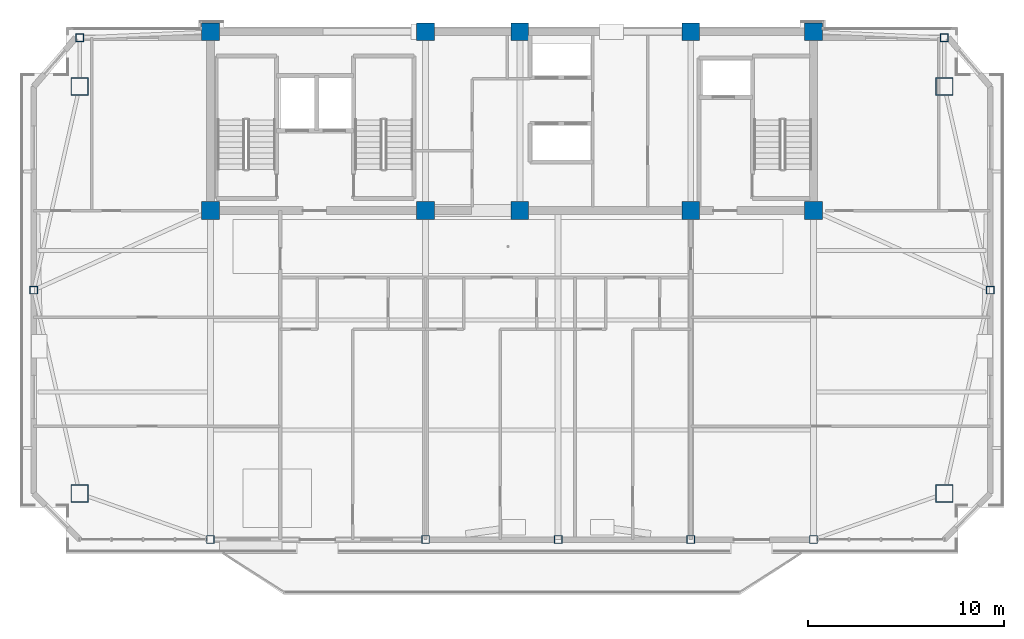
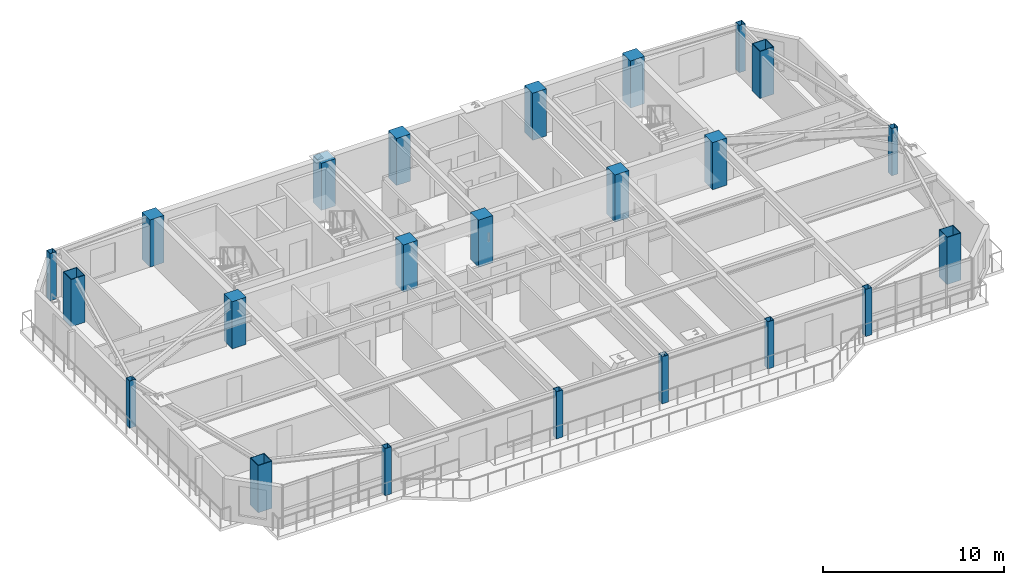
# One storey, part 1 of 14: 23 columns.
"""IFC4 building model written with IfcOpenShell, lengths in metres."""

from ifc_helpers import new_model, si_unit, direction, frame, origin, origin_2d, place, context, subcontext, project, spatial, rectangle, hollow_rectangle, extrude, source, transform, mapped, material, material_profile, profile_set, type_object, element, save


model = new_model("IFC4")

# Units and contexts
model_context = context("Model", 3, precision=1e-05, world=origin(), true_north=direction((0.0, 1.0)))
body_context = subcontext(model_context, "Body", "Model", "MODEL_VIEW")
ifc_project = project(units=[si_unit("LENGTHUNIT", "METRE"), si_unit("AREAUNIT", "SQUARE_METRE"), si_unit("VOLUMEUNIT", "CUBIC_METRE"), si_unit("PLANEANGLEUNIT", "RADIAN"), si_unit("MASSUNIT", "GRAM", prefix="KILO")], contexts=[model_context])

# Site, building, storey
site_placement = place(None, origin())
site = spatial("IfcSite", under=ifc_project, at=site_placement, CompositionType="ELEMENT")
building_placement = place(site_placement, origin())
building = spatial("IfcBuilding", under=site, at=building_placement, Name="Giltprow Tower", CompositionType="ELEMENT")
storey_placement = place(building_placement, frame((0.0, 0.0, 317.60009765625)))
storey = spatial("IfcBuildingStorey", under=building, at=storey_placement, Name="L82", CompositionType="ELEMENT", Elevation=317.60009765625)

# Columns
ifc_material_1 = material(Name="Concrete C45", Category="concrete")
ifc_material_profile_1 = material_profile(ifc_material_1, rectangle(XDim=0.89990234375, YDim=0.89990234375, at=origin_2d()), Name="RC 900x900")
ifc_profile_set_1 = profile_set([ifc_material_profile_1], Name="Concrete C45")
column_type_1 = type_object("IfcColumnType", Name="PIL-RC-900-C45", PredefinedType="PILASTER", material=ifc_profile_set_1)
shared_shape_1 = source(origin(), body_context, "Body", "SweptSolid", [
    extrude(rectangle(XDim=0.89990234375, YDim=0.89990234375, at=origin_2d()), origin(), (0.0, 0.0, 1.0), 3.184814453125),
])
for number, where, z_axis, x_axis, name in (
    (1, (19.85009765625, 37.449951171875, 0.0), (0.0, 0.0, 1.0), (1.0, 0.0, 0.0), "L82 Core Boundary Pilaster 1-1"),
    (2, (19.85009765625, 46.550048828125, 0.0), (0.0, 0.0, 1.0), (1.0, 0.0, 0.0), "L82 Core Boundary Pilaster 1-2"),
    (3, (30.800048828125, 37.449951171875, 0.0), (0.0, 0.0, 1.0), (1.0, 0.0, 0.0), "L82 Core Boundary Pilaster 2-1"),
    (4, (30.800048828125, 46.550048828125, 0.0), (0.0, 0.0, 1.0), (1.0, 0.0, 0.0), "L82 Core Boundary Pilaster 2-2"),
    (5, (35.60009765625, 37.449951171875, 0.0), (0.0, 0.0, 1.0), (1.0, 0.0, 0.0), "L82 Core Boundary Pilaster 3-1"),
    (6, (35.60009765625, 46.550048828125, 0.0), (0.0, 0.0, 1.0), (1.0, 0.0, 0.0), "L82 Core Boundary Pilaster 3-2"),
    (7, (44.300048828125, 37.449951171875, 0.0), (0.0, 0.0, 1.0), (1.0, 0.0, 0.0), "L82 Core Boundary Pilaster 4-1"),
    (8, (44.300048828125, 46.550048828125, 0.0), (0.0, 0.0, 1.0), (1.0, 0.0, 0.0), "L82 Core Boundary Pilaster 4-2"),
    (9, (50.550048828125, 37.449951171875, 0.0), (0.0, 0.0, 1.0), (1.0, 0.0, 0.0), "L82 Core Boundary Pilaster 5-1"),
    (10, (50.550048828125, 46.550048828125, 0.0), (0.0, 0.0, 1.0), (1.0, 0.0, 0.0), "L82 Core Boundary Pilaster 5-2"),
):
    element("IfcColumn", number, at=place(storey_placement, frame(where, z_axis=z_axis, x_axis=x_axis)), inside=storey, type_object=column_type_1, Name=name, PredefinedType="PILASTER", context=body_context, shape_type="MappedRepresentation", body=[
        mapped(shared_shape_1, transform((0.0, 0.0, 0.0), x_axis=(1.0, 0.0, 0.0), y_axis=(0.0, 1.0, 0.0), z_axis=(0.0, 0.0, 1.0), scale=1.0)),
    ])
ifc_material_2 = material(Name="Structural steel Q420GJC", Category="steel")
ifc_material_profile_2 = material_profile(ifc_material_2, hollow_rectangle(XDim=0.89990234375, YDim=0.89990234375, WallThickness=0.0400390625, at=origin_2d()), Name="BOX 900x900x40")
ifc_profile_set_2 = profile_set([ifc_material_profile_2], Name="Structural steel Q420GJC")
column_type_2 = type_object("IfcColumnType", Name="COL-BOX-900x900x40", PredefinedType="COLUMN", material=ifc_profile_set_2)
shared_shape_2 = source(origin(), body_context, "Body", "SweptSolid", [
    extrude(hollow_rectangle(XDim=0.89990234375, YDim=0.89990234375, WallThickness=0.0400390625, at=origin_2d()), origin(), (0.0, 0.0, 1.0), 3.184814453125),
])
for number, where, z_axis, x_axis, name in (
    (11, (13.193115234375, 23.0419921875, 0.0), (0.0, 0.0, 1.0), (1.0, 0.0, 0.0), "L82 Mega-Column MC_SW"),
    (12, (57.2080078125, 23.0419921875, 0.0), (0.0, 0.0, 1.0), (1.0, 0.0, 0.0), "L82 Mega-Column MC_SE"),
    (13, (13.193115234375, 43.761962890625, 0.0), (0.0, 0.0, 1.0), (1.0, 0.0, 0.0), "L82 Mega-Column MC_NW"),
    (14, (57.2080078125, 43.761962890625, 0.0), (0.0, 0.0, 1.0), (1.0, 0.0, 0.0), "L82 Mega-Column MC_NE"),
):
    element("IfcColumn", number, at=place(storey_placement, frame(where, z_axis=z_axis, x_axis=x_axis)), inside=storey, type_object=column_type_2, Name=name, PredefinedType="COLUMN", context=body_context, shape_type="MappedRepresentation", body=[
        mapped(shared_shape_2, transform((0.0, 0.0, 0.0), x_axis=(1.0, 0.0, 0.0), y_axis=(0.0, 1.0, 0.0), z_axis=(0.0, 0.0, 1.0), scale=1.0)),
    ])
ifc_material_3 = material(Name="Structural steel Q355B", Category="steel")
ifc_material_profile_3 = material_profile(ifc_material_3, hollow_rectangle(XDim=0.39990234375, YDim=0.39990234375, WallThickness=0.02001953125, at=origin_2d()), Name="BOX 400x400x20")
ifc_profile_set_3 = profile_set([ifc_material_profile_3], Name="Structural steel Q355B")
column_type_3 = type_object("IfcColumnType", Name="COL-BOX-400x400x20", PredefinedType="COLUMN", material=ifc_profile_set_3)
shared_shape_3 = source(origin(), body_context, "Body", "SweptSolid", [
    extrude(hollow_rectangle(XDim=0.39990234375, YDim=0.39990234375, WallThickness=0.02001953125, at=origin_2d()), origin(), (0.0, 0.0, 1.0), 3.184814453125),
])
for number, where, z_axis, x_axis, name in (
    (15, (19.85009765625, 20.7041015625, 0.0), (0.0, 0.0, 1.0), (1.0, 0.0, 0.0), "L82 Perimeter Column S1"),
    (16, (30.800048828125, 20.7041015625, 0.0), (0.0, 0.0, 1.0), (1.0, 0.0, 0.0), "L82 Perimeter Column S2"),
    (17, (37.550048828125, 20.7041015625, 0.0), (0.0, 0.0, 1.0), (1.0, 0.0, 0.0), "L82 Perimeter Column S_MID"),
    (18, (44.300048828125, 20.7041015625, 0.0), (0.0, 0.0, 1.0), (1.0, 0.0, 0.0), "L82 Perimeter Column S3"),
    (19, (50.550048828125, 20.7041015625, 0.0), (0.0, 0.0, 1.0), (1.0, 0.0, 0.0), "L82 Perimeter Column S4"),
    (20, (10.85498046875, 33.402099609375, 0.0), (0.0, 0.0, 1.0), (1.0, 0.0, 0.0), "L82 Perimeter Column W_MID"),
    (21, (59.5458984375, 33.402099609375, 0.0), (0.0, 0.0, 1.0), (1.0, 0.0, 0.0), "L82 Perimeter Column E_MID"),
    (22, (13.193115234375, 46.25, 0.0), (0.0, 0.0, 1.0), (1.0, 0.0, 0.0), "L82 Perimeter Column N_W"),
    (23, (57.2080078125, 46.25, 0.0), (0.0, 0.0, 1.0), (1.0, 0.0, 0.0), "L82 Perimeter Column N_E"),
):
    element("IfcColumn", number, at=place(storey_placement, frame(where, z_axis=z_axis, x_axis=x_axis)), inside=storey, type_object=column_type_3, Name=name, PredefinedType="COLUMN", context=body_context, shape_type="MappedRepresentation", body=[
        mapped(shared_shape_3, transform((0.0, 0.0, 0.0), x_axis=(1.0, 0.0, 0.0), y_axis=(0.0, 1.0, 0.0), z_axis=(0.0, 0.0, 1.0), scale=1.0)),
    ])

save(model, "model.ifc")
